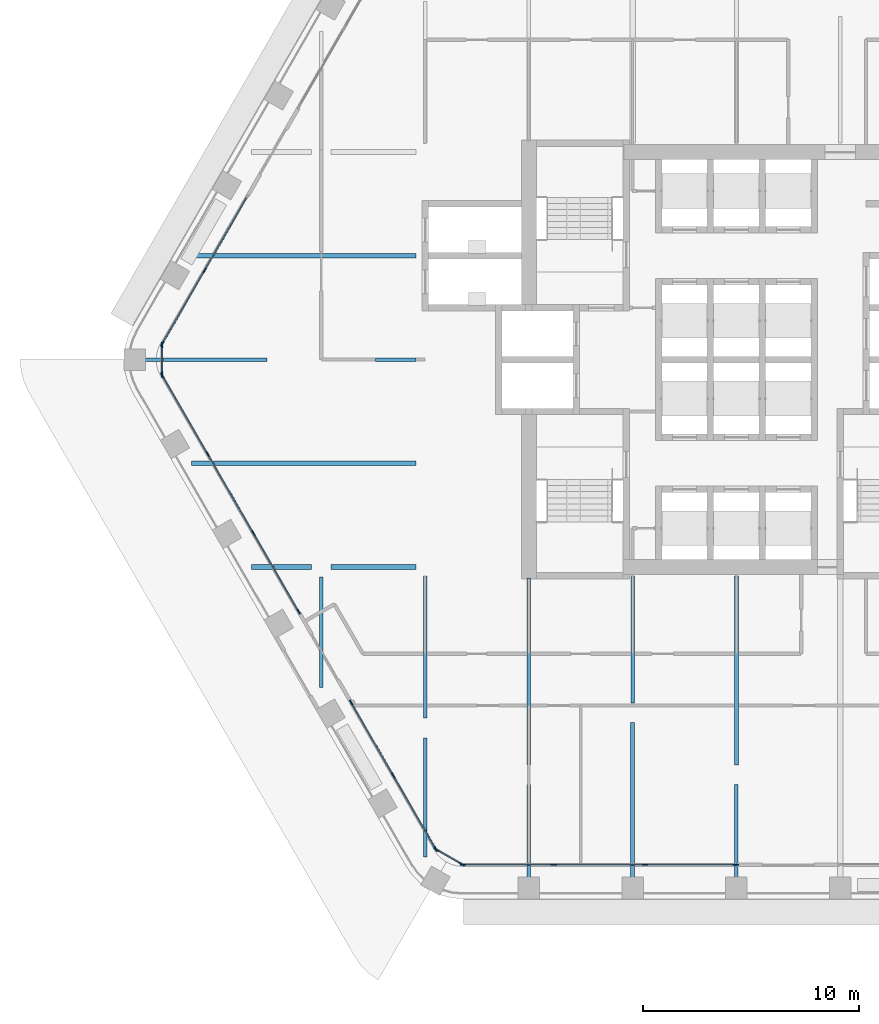
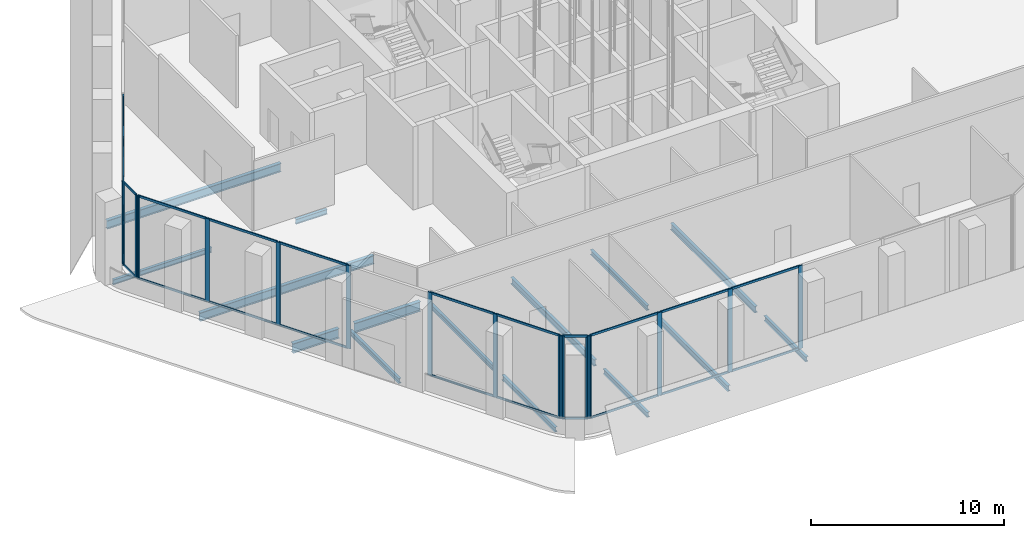
# One storey, part 2 of 42: 41 members, 15 beams, 6 elements without a shape of their own.
"""IFC4 building model written with IfcOpenShell, lengths in metres."""

import ifcopenshell
import ifcopenshell.guid

model = None  # the IFC model being written
_history = None  # IfcOwnerHistory: only IFC2X3 demands one
_inside = {}  # id of a spatial element -> (the spatial element, [elements in it])
_under = {}  # id of a project, library or spatial element -> (it, [spatial elements below it])
_declared = {}  # id of a project -> (the project, [libraries it declares])
_typed = {}  # id of a type object -> (the type object, [elements of that type])
_made_of = {}  # id of a material, layer set ... -> (it, [elements and type objects made of it])


def new_model(schema):
    """Start an empty IFC model of exactly this schema.

    Asked for "IFC4X3", IfcOpenShell would pick the latest addendum, in which some entities
    have other attributes; the version numbers below select the first issue.
    IFC2X3 requires an IfcOwnerHistory on every rooted entity: one is made here for all.
    """
    global model, _history
    if schema == "IFC4X3":
        model = ifcopenshell.file(schema_version=(4, 3, 0, 0))
    else:
        model = ifcopenshell.file(schema=schema)
    _inside.clear()
    _under.clear()
    _declared.clear()
    _typed.clear()
    _made_of.clear()
    _history = None
    if model.schema == "IFC2X3":
        org = make("IfcOrganization", Name="unknown")
        user = make(
            "IfcPersonAndOrganization",
            ThePerson=make("IfcPerson", FamilyName="unknown"),
            TheOrganization=org,
        )
        app = make(
            "IfcApplication",
            ApplicationDeveloper=org,
            Version="unknown",
            ApplicationFullName="unknown",
            ApplicationIdentifier="unknown",
        )
        _history = make(
            "IfcOwnerHistory",
            OwningUser=user,
            OwningApplication=app,
            ChangeAction="ADDED",
            CreationDate=0,
        )
    return model


def make(cls, **values):
    """One entity of the class cls with the attributes given. An attribute that is None is left unset."""
    return model.create_entity(
        cls, **{name: value for name, value in values.items() if value is not None}
    )


def rooted(cls, **values):
    """An entity with a GlobalId (a new one), such as an element, a storey or a relation."""
    return make(cls, GlobalId=ifcopenshell.guid.new(), OwnerHistory=_history, **values)


def si_unit(unit_type, name, prefix=None):
    """IfcSIUnit, for example si_unit("LENGTHUNIT", "METRE", prefix="MILLI")."""
    return make("IfcSIUnit", UnitType=unit_type, Prefix=prefix, Name=name)


def assignment(units):
    """IfcUnitAssignment: the units of a project."""
    return None if units is None else make("IfcUnitAssignment", Units=units)


def point(xyz):
    """IfcCartesianPoint."""
    return None if xyz is None else make("IfcCartesianPoint", Coordinates=xyz)


def direction(xyz):
    """IfcDirection."""
    return None if xyz is None else make("IfcDirection", DirectionRatios=xyz)


def frame(location, z_axis=None, x_axis=None):
    """IfcAxis2Placement3D, a coordinate frame: its origin and axes. An axis left out is left unset."""
    return make(
        "IfcAxis2Placement3D",
        Location=point(location),
        Axis=direction(z_axis),
        RefDirection=direction(x_axis),
    )


def frame_2d(location, x_axis=None):
    """IfcAxis2Placement2D, a coordinate frame in the plane: its origin and x axis."""
    return make(
        "IfcAxis2Placement2D", Location=point(location), RefDirection=direction(x_axis)
    )


def origin():
    """The frame at (0, 0, 0) with its axes left unset."""
    return frame((0.0, 0.0, 0.0))


def origin_2d():
    """The frame at (0, 0) in the plane with its x axis left unset."""
    return frame_2d((0.0, 0.0))


def place(relative_to, where):
    """IfcLocalPlacement: puts the frame where relative to a parent placement (None: the world)."""
    return make(
        "IfcLocalPlacement", PlacementRelTo=relative_to, RelativePlacement=where
    )


def context(
    kind, dimensions, precision=None, world=None, true_north=None, identifier=None
):
    """IfcGeometricRepresentationContext, for example the 3D "Model" context."""
    return make(
        "IfcGeometricRepresentationContext",
        ContextIdentifier=identifier,
        ContextType=kind,
        CoordinateSpaceDimension=dimensions,
        Precision=precision,
        WorldCoordinateSystem=world,
        TrueNorth=true_north,
    )


def subcontext(parent, identifier, kind, view, scale=None):
    """IfcGeometricRepresentationSubContext, for example "Body" below "Model"."""
    return make(
        "IfcGeometricRepresentationSubContext",
        ContextIdentifier=identifier,
        ContextType=kind,
        ParentContext=parent,
        TargetScale=scale,
        TargetView=view,
    )


def project(units=None, contexts=None):
    """IfcProject with its units and contexts."""
    return rooted(
        "IfcProject",
        Name="project",
        RepresentationContexts=contexts,
        UnitsInContext=assignment(units),
    )


def spatial(cls, under=None, at=None, **own):
    """A site, building, storey or space (cls), placed at a placement, below another one or the project."""
    s = rooted(cls, ObjectPlacement=at, **own)
    if under is not None:
        _under.setdefault(under.id(), (under, []))[1].append(s)
    return s


def profile(cls, at=None, kind="AREA", **sizes):
    """A parametric profile (cls). Its sizes go by their IFC names, for example OverallWidth=200.0."""
    return make(cls, ProfileType=kind, Position=at, **sizes)


def rectangle(**sizes):
    """IfcRectangleProfileDef."""
    return profile("IfcRectangleProfileDef", **sizes)


def i_section(**sizes):
    """IfcIShapeProfileDef."""
    return profile("IfcIShapeProfileDef", **sizes)


def extrude(swept, where, along, depth):
    """IfcExtrudedAreaSolid: the profile swept, set in the frame where, extruded along a direction by depth."""
    return make(
        "IfcExtrudedAreaSolid",
        SweptArea=swept,
        Position=where,
        ExtrudedDirection=direction(along),
        Depth=depth,
    )


def shape(context_of_items, identifier, shape_type, items):
    """IfcShapeRepresentation: the items that make up one representation, for example the "Body"."""
    return make(
        "IfcShapeRepresentation",
        ContextOfItems=context_of_items,
        RepresentationIdentifier=identifier,
        RepresentationType=shape_type,
        Items=items,
    )


def material(Name=None, Category=None):
    """IfcMaterial."""
    return make("IfcMaterial", Name=Name, Category=Category)


def material_profile(
    of_material, cross_section, Name=None, Category=None, Priority=None
):
    """IfcMaterialProfile: a cross section and its material."""
    return make(
        "IfcMaterialProfile",
        Name=Name,
        Material=of_material,
        Profile=cross_section,
        Priority=Priority,
        Category=Category,
    )


def profile_set(profiles, Name=None, composite=None):
    """IfcMaterialProfileSet."""
    return make(
        "IfcMaterialProfileSet",
        Name=Name,
        MaterialProfiles=profiles,
        CompositeProfile=composite,
    )


def made_of(thing, what):
    """Note that an element or type object is made of a material, layer set ...; save() writes the relation."""
    if what is not None:
        _made_of.setdefault(what.id(), (what, []))[1].append(thing)
    return thing


def type_object(cls, material=None, **own):
    """A type object (cls), such as IfcWallType, which elements share."""
    return made_of(rooted(cls, **own), material)


def element(
    cls,
    number,
    at=None,
    inside=None,
    cuts=None,
    type_object=None,
    material=None,
    context=None,
    identifier="Body",
    shape_type=None,
    held_by="IfcProductDefinitionShape",
    body=None,
    shapes=None,
    **own,
):
    """One element of the class cls, such as IfcWall. Its Tag is "e" and its number.

    at: its placement. inside: the storey or other place that contains it. cuts: it is an
    opening in that element (IfcRelVoidsElement). A single representation is given by context,
    identifier, shape_type and body (its items); several are given by shapes. held_by: the class
    of the entity that holds the representations. save() writes the other relations.
    """
    e = rooted(cls, Tag="e%d" % number, ObjectPlacement=at, **own)
    if body is not None:
        shapes = [shape(context, identifier, shape_type, body)]
    if shapes is not None:
        e.Representation = make(held_by, Representations=shapes)
    if inside is not None:
        _inside.setdefault(inside.id(), (inside, []))[1].append(e)
    if cuts is not None:
        rooted(
            "IfcRelVoidsElement", RelatingBuildingElement=cuts, RelatedOpeningElement=e
        )
    if type_object is not None:
        _typed.setdefault(type_object.id(), (type_object, []))[1].append(e)
    return made_of(e, material)


def aggregate(whole, parts):
    """IfcRelAggregates: a whole, such as a stair, and the parts it consists of."""
    return rooted("IfcRelAggregates", RelatingObject=whole, RelatedObjects=parts)


def save(model, path):
    """Write the relations noted so far, then the file.

    IfcRelAggregates (storeys below a building ...), IfcRelContainedInSpatialStructure (elements
    in a storey), IfcRelDefinesByType, IfcRelAssociatesMaterial and IfcRelDeclares: one each for
    every whole, place, type object, material and project.
    """
    for whole, parts in _under.values():
        aggregate(whole, parts)
    for where, things in _inside.values():
        rooted(
            "IfcRelContainedInSpatialStructure",
            RelatedElements=things,
            RelatingStructure=where,
        )
    for kind, things in _typed.values():
        rooted("IfcRelDefinesByType", RelatedObjects=things, RelatingType=kind)
    for what, things in _made_of.values():
        rooted("IfcRelAssociatesMaterial", RelatedObjects=things, RelatingMaterial=what)
    for by, libraries in _declared.values():
        rooted("IfcRelDeclares", RelatingContext=by, RelatedDefinitions=libraries)
    model.write(path)


model = new_model("IFC4")

# Units and contexts
model_context = context("Model", 3, precision=1e-05, world=origin(), true_north=direction((0.0, 1.0)))
body_context = subcontext(model_context, "Body", "Model", "MODEL_VIEW")
ifc_project = project(units=[si_unit("LENGTHUNIT", "METRE"), si_unit("AREAUNIT", "SQUARE_METRE"), si_unit("VOLUMEUNIT", "CUBIC_METRE"), si_unit("PLANEANGLEUNIT", "RADIAN"), si_unit("MASSUNIT", "GRAM", prefix="KILO")], contexts=[model_context])

# Site, building, storey
site_placement = place(None, origin())
site = spatial("IfcSite", under=ifc_project, at=site_placement, CompositionType="ELEMENT")
building_placement = place(site_placement, origin())
building = spatial("IfcBuilding", under=site, at=building_placement, Name="Kolab Exchange Tower", CompositionType="ELEMENT")
storey_placement = place(building_placement, frame((0.0, 0.0, 133.39990234375)))
storey = spatial("IfcBuildingStorey", under=building, at=storey_placement, Name="L26", CompositionType="ELEMENT", Elevation=133.39990234375)

# Beams
ifc_material_1 = material(Name="Steel S355", Category="steel")
ifc_material_profile_1 = material_profile(ifc_material_1, i_section(OverallWidth=0.1650390625, OverallDepth=0.31005859375, WebThickness=0.005859375, FlangeThickness=0.009765625, at=origin_2d()), Name="W310X39")
ifc_profile_set_1 = profile_set([ifc_material_profile_1], Name="Steel S355")
beam_type_1 = type_object("IfcBeamType", Name="FLOOR BEAM W310X39", PredefinedType="BEAM", material=ifc_profile_set_1)
beam_1_placement = place(storey_placement, frame((-27.598876953125, 0.0, -0.304931640625), z_axis=(1.0, 0.0, 0.0), x_axis=(0.0, 1.0, 0.0)))
element("IfcBeam", 1, at=beam_1_placement, inside=storey, type_object=beam_type_1, Name="beam/L26/fr/000", PredefinedType="BEAM", context=body_context, shape_type="SweptSolid", body=[
    extrude(i_section(OverallWidth=0.1650390625, OverallDepth=0.31005859375, WebThickness=0.005859375, FlangeThickness=0.009765625, at=origin_2d()), origin(), (0.0, 0.0, 1.0), 5.888916015625),
])
beam_2_placement = place(storey_placement, frame((-19.199951171875, -15.167724609375, -0.304931640625), z_axis=(0.0, 1.0, 0.0), x_axis=(-1.0, 0.0, 0.0)))
element("IfcBeam", 2, at=beam_2_placement, inside=storey, type_object=beam_type_1, Name="beam/L26/fr/003", PredefinedType="BEAM", context=body_context, shape_type="SweptSolid", body=[
    extrude(i_section(OverallWidth=0.1650390625, OverallDepth=0.31005859375, WebThickness=0.005859375, FlangeThickness=0.009765625, at=origin_2d()), origin(), (0.0, 0.0, 1.0), 5.107666015625),
])
beam_3_placement = place(storey_placement, frame((-16.68994140625, 0.0, -0.304931640625), z_axis=(1.0, 0.0, 0.0), x_axis=(0.0, 1.0, 0.0)))
element("IfcBeam", 3, at=beam_3_placement, inside=storey, type_object=beam_type_1, Name="beam/L26/fr/005", PredefinedType="BEAM", context=body_context, shape_type="SweptSolid", body=[
    extrude(i_section(OverallWidth=0.1650390625, OverallDepth=0.31005859375, WebThickness=0.005859375, FlangeThickness=0.009765625, at=origin_2d()), origin(), (0.0, 0.0, 1.0), 1.8798828125),
])
beam_4_placement = place(storey_placement, frame((-14.39990234375, -23.00146484375, -0.304931640625), z_axis=(0.0, 1.0, 0.0), x_axis=(-1.0, 0.0, 0.0)))
element("IfcBeam", 4, at=beam_4_placement, inside=storey, type_object=beam_type_1, Name="beam/L26/fr/006", PredefinedType="BEAM", context=body_context, shape_type="SweptSolid", body=[
    extrude(i_section(OverallWidth=0.1650390625, OverallDepth=0.31005859375, WebThickness=0.005859375, FlangeThickness=0.009765625, at=origin_2d()), origin(), (0.0, 0.0, 1.0), 5.4892578125),
])
beam_5_placement = place(storey_placement, frame((-14.39990234375, -16.5732421875, -0.304931640625), z_axis=(0.0, 1.0, 0.0), x_axis=(-1.0, 0.0, 0.0)))
element("IfcBeam", 5, at=beam_5_placement, inside=storey, type_object=beam_type_1, Name="beam/L26/fr/007", PredefinedType="BEAM", context=body_context, shape_type="SweptSolid", body=[
    extrude(i_section(OverallWidth=0.1650390625, OverallDepth=0.31005859375, WebThickness=0.005859375, FlangeThickness=0.009765625, at=origin_2d()), origin(), (0.0, 0.0, 1.0), 6.563232421875),
])
beam_6_placement = place(storey_placement, frame((-9.60009765625, -24.230712890625, -0.304931640625), z_axis=(0.0, 1.0, 0.0), x_axis=(-1.0, 0.0, 0.0)))
element("IfcBeam", 6, at=beam_6_placement, inside=storey, type_object=beam_type_1, Name="beam/L26/fr/010", PredefinedType="BEAM", context=body_context, shape_type="SweptSolid", body=[
    extrude(i_section(OverallWidth=0.1650390625, OverallDepth=0.31005859375, WebThickness=0.005859375, FlangeThickness=0.009765625, at=origin_2d()), origin(), (0.0, 0.0, 1.0), 4.57080078125),
])
beam_7_placement = place(storey_placement, frame((-4.800048828125, -15.876708984375, -0.304931640625), z_axis=(0.0, 1.0, 0.0), x_axis=(-1.0, 0.0, 0.0)))
element("IfcBeam", 7, at=beam_7_placement, inside=storey, type_object=beam_type_1, Name="beam/L26/fr/015", PredefinedType="BEAM", context=body_context, shape_type="SweptSolid", body=[
    extrude(i_section(OverallWidth=0.1650390625, OverallDepth=0.31005859375, WebThickness=0.005859375, FlangeThickness=0.009765625, at=origin_2d()), origin(), (0.0, 0.0, 1.0), 5.86669921875),
])
beam_8_placement = place(storey_placement, frame((0.0, -23.990478515625, -0.304931640625), z_axis=(0.0, 1.0, 0.0), x_axis=(-1.0, 0.0, 0.0)))
element("IfcBeam", 8, at=beam_8_placement, inside=storey, type_object=beam_type_1, Name="beam/L26/fr/017", PredefinedType="BEAM", context=body_context, shape_type="SweptSolid", body=[
    extrude(i_section(OverallWidth=0.1650390625, OverallDepth=0.31005859375, WebThickness=0.005859375, FlangeThickness=0.009765625, at=origin_2d()), origin(), (0.0, 0.0, 1.0), 4.33056640625),
])
ifc_material_profile_2 = material_profile(ifc_material_1, i_section(OverallWidth=0.1708984375, OverallDepth=0.35498046875, WebThickness=0.007080078125, FlangeThickness=0.01171875, at=origin_2d()), Name="W360X51")
ifc_profile_set_2 = profile_set([ifc_material_profile_2], Name="Steel S355")
beam_type_2 = type_object("IfcBeamType", Name="FLOOR BEAM W360X51", PredefinedType="BEAM", material=ifc_profile_set_2)
beam_9_placement = place(storey_placement, frame((-4.800048828125, -24.2314453125, -0.327392578125), z_axis=(0.0, 1.0, 0.0), x_axis=(-1.0, 0.0, 0.0)))
element("IfcBeam", 9, at=beam_9_placement, inside=storey, type_object=beam_type_2, Name="beam/L26/fr/014", PredefinedType="BEAM", context=body_context, shape_type="SweptSolid", body=[
    extrude(i_section(OverallWidth=0.1708984375, OverallDepth=0.35498046875, WebThickness=0.007080078125, FlangeThickness=0.01171875, at=origin_2d()), origin(), (0.0, 0.0, 1.0), 7.45263671875),
])
ifc_material_profile_3 = material_profile(ifc_material_1, i_section(OverallWidth=0.177978515625, OverallDepth=0.406982421875, WebThickness=0.0078125, FlangeThickness=0.0126953125, at=origin_2d()), Name="W410X60")
ifc_profile_set_3 = profile_set([ifc_material_profile_3], Name="Steel S355")
beam_type_3 = type_object("IfcBeamType", Name="FLOOR BEAM W410X60", PredefinedType="BEAM", material=ifc_profile_set_3)
beam_10_placement = place(storey_placement, frame((-9.60009765625, -18.739990234375, -0.353515625), z_axis=(0.0, 1.0, 0.0), x_axis=(-1.0, 0.0, 0.0)))
element("IfcBeam", 10, at=beam_10_placement, inside=storey, type_object=beam_type_3, Name="beam/L26/fr/011", PredefinedType="BEAM", context=body_context, shape_type="SweptSolid", body=[
    extrude(i_section(OverallWidth=0.177978515625, OverallDepth=0.406982421875, WebThickness=0.0078125, FlangeThickness=0.0126953125, at=origin_2d()), origin(), (0.0, 0.0, 1.0), 8.6298828125),
])
beam_11_placement = place(storey_placement, frame((0.0, -18.739990234375, -0.353515625), z_axis=(0.0, 1.0, 0.0), x_axis=(-1.0, 0.0, 0.0)))
element("IfcBeam", 11, at=beam_11_placement, inside=storey, type_object=beam_type_3, Name="beam/L26/fr/018", PredefinedType="BEAM", context=body_context, shape_type="SweptSolid", body=[
    extrude(i_section(OverallWidth=0.177978515625, OverallDepth=0.406982421875, WebThickness=0.0078125, FlangeThickness=0.0126953125, at=origin_2d()), origin(), (0.0, 0.0, 1.0), 8.72998046875),
])
ifc_material_profile_4 = material_profile(ifc_material_1, i_section(OverallWidth=0.208984375, OverallDepth=0.532958984375, WebThickness=0.01025390625, FlangeThickness=0.015625, at=origin_2d()), Name="W530X92")
ifc_profile_set_4 = profile_set([ifc_material_profile_4], Name="Steel S355")
beam_type_4 = type_object("IfcBeamType", Name="FLOOR BEAM W530X92", PredefinedType="BEAM", material=ifc_profile_set_4)
for number, where, z_axis, x_axis, name in (
    (12, (-25.20263671875, -4.800048828125, -0.41650390625), (1.0, 0.0, 0.0), (0.0, 1.0, 0.0), "beam/L26/fr/001"),
    (13, (-25.20263671875, 4.800048828125, -0.41650390625), (1.0, 0.0, 0.0), (0.0, 1.0, 0.0), "beam/L26/fr/002"),
):
    element("IfcBeam", number, at=place(storey_placement, frame(where, z_axis=z_axis, x_axis=x_axis)), inside=storey, type_object=beam_type_4, Name=name, PredefinedType="BEAM", context=body_context, shape_type="SweptSolid", body=[
        extrude(i_section(OverallWidth=0.208984375, OverallDepth=0.532958984375, WebThickness=0.01025390625, FlangeThickness=0.015625, at=origin_2d()), origin(), (0.0, 0.0, 1.0), 10.392578125),
    ])
ifc_material_profile_5 = material_profile(ifc_material_1, i_section(OverallWidth=0.22802734375, OverallDepth=0.60791015625, WebThickness=0.01123046875, FlangeThickness=0.017333984375, at=origin_2d()), Name="W610X113")
ifc_profile_set_5 = profile_set([ifc_material_profile_5], Name="Steel S355")
beam_type_5 = type_object("IfcBeamType", Name="FLOOR GIRDER W610X113", PredefinedType="BEAM", material=ifc_profile_set_5)
beam_12_placement = place(storey_placement, frame((-22.431396484375, -9.60009765625, -0.453857421875), z_axis=(1.0, 0.0, 0.0), x_axis=(0.0, 1.0, 0.0)))
element("IfcBeam", 14, at=beam_12_placement, inside=storey, type_object=beam_type_5, Name="beam/L26/gd/000", PredefinedType="BEAM", context=body_context, shape_type="SweptSolid", body=[
    extrude(i_section(OverallWidth=0.22802734375, OverallDepth=0.60791015625, WebThickness=0.01123046875, FlangeThickness=0.017333984375, at=origin_2d()), origin(), (0.0, 0.0, 1.0), 2.771484375),
])
beam_13_placement = place(storey_placement, frame((-18.739990234375, -9.60009765625, -0.453857421875), z_axis=(1.0, 0.0, 0.0), x_axis=(0.0, 1.0, 0.0)))
element("IfcBeam", 15, at=beam_13_placement, inside=storey, type_object=beam_type_5, Name="beam/L26/gd/002", PredefinedType="BEAM", context=body_context, shape_type="SweptSolid", body=[
    extrude(i_section(OverallWidth=0.22802734375, OverallDepth=0.60791015625, WebThickness=0.01123046875, FlangeThickness=0.017333984375, at=origin_2d()), origin(), (0.0, 0.0, 1.0), 3.929931640625),
])

# Curtain wall, members
ifc_material_2 = material(Name="Aluminium EN AW-6063 T6", Category="aluminium")
curtain_wall_type = type_object("IfcCurtainWallType", Name="UNITISED UPPER MID ZONE DOUBLE HEIGHT CURTAIN WALL", PredefinedType="NOTDEFINED", material=ifc_material_2)
curtain_wall_1_placement = place(storey_placement, origin())
curtain_wall_1 = element("IfcCurtainWall", 16, at=curtain_wall_1_placement, inside=storey, type_object=curtain_wall_type, Name="cw/L26/F4-2", PredefinedType="NOTDEFINED")
ifc_material_profile_6 = material_profile(ifc_material_2, rectangle(XDim=0.06005859375, YDim=0.260009765625, at=origin_2d()), Name="RECT 60X260")
ifc_profile_set_6 = profile_set([ifc_material_profile_6], Name="Aluminium EN AW-6063 T6")
member_type_1 = type_object("IfcMemberType", Name="UNITISED UPPER MID ZONE DOUBLE HEIGHT MULLION 60 X 260", PredefinedType="MULLION", material=ifc_profile_set_6)
member_1_placement = place(storey_placement, frame((-0.030029296875, -23.361572265625, 0.0), z_axis=(0.0, 0.0, 1.0), x_axis=(0.0, -1.0, 0.0)))
member_1 = element("IfcMember", 17, at=member_1_placement, type_object=member_type_1, Name="CW8 mullion 1", PredefinedType="MULLION", context=body_context, shape_type="SweptSolid", body=[
    extrude(rectangle(XDim=0.06005859375, YDim=0.260009765625, at=origin_2d()), origin(), (0.0, 0.0, 1.0), 5.25),
])
member_2_placement = place(storey_placement, frame((-4.22265625, -23.361572265625, 0.0), z_axis=(0.0, 0.0, 1.0), x_axis=(0.0, -1.0, 0.0)))
member_2 = element("IfcMember", 18, at=member_2_placement, type_object=member_type_1, Name="CW8 mullion 2", PredefinedType="MULLION", context=body_context, shape_type="SweptSolid", body=[
    extrude(rectangle(XDim=0.06005859375, YDim=0.260009765625, at=origin_2d()), origin(), (0.0, 0.0, 1.0), 5.25),
])
member_3_placement = place(storey_placement, frame((-8.4453125, -23.361572265625, 0.0), z_axis=(0.0, 0.0, 1.0), x_axis=(0.0, -1.0, 0.0)))
member_3 = element("IfcMember", 19, at=member_3_placement, type_object=member_type_1, Name="CW8 mullion 3", PredefinedType="MULLION", context=body_context, shape_type="SweptSolid", body=[
    extrude(rectangle(XDim=0.06005859375, YDim=0.260009765625, at=origin_2d()), origin(), (0.0, 0.0, 1.0), 5.25),
])
member_4_placement = place(storey_placement, frame((-12.637939453125, -23.361572265625, 0.0), z_axis=(0.0, 0.0, 1.0), x_axis=(0.0, -1.0, 0.0)))
member_4 = element("IfcMember", 20, at=member_4_placement, type_object=member_type_1, Name="CW8 mullion 4", PredefinedType="MULLION", context=body_context, shape_type="SweptSolid", body=[
    extrude(rectangle(XDim=0.06005859375, YDim=0.260009765625, at=origin_2d()), origin(), (0.0, 0.0, 1.0), 5.25),
])

curtain_wall_2_placement = place(storey_placement, origin())
curtain_wall_2 = element("IfcCurtainWall", 21, at=curtain_wall_2_placement, inside=storey, type_object=curtain_wall_type, Name="cw/L26/F5-1", PredefinedType="NOTDEFINED")
member_5_placement = place(storey_placement, frame((-13.91259765625, -22.62548828125, 0.0), z_axis=(0.0, 0.0, 1.0), x_axis=(-0.866025385493, -0.500000031681, 0.0)))
member_5 = element("IfcMember", 22, at=member_5_placement, type_object=member_type_1, Name="CW8 mullion 1", PredefinedType="MULLION", context=body_context, shape_type="SweptSolid", body=[
    extrude(rectangle(XDim=0.06005859375, YDim=0.260009765625, at=origin_2d()), origin(), (0.0, 0.0, 1.0), 5.25),
])
member_6_placement = place(storey_placement, frame((-15.86474609375, -19.24462890625, 0.0), z_axis=(0.0, 0.0, 1.0), x_axis=(-0.866025385493, -0.500000031681, 0.0)))
member_6 = element("IfcMember", 23, at=member_6_placement, type_object=member_type_1, Name="CW8 mullion 2", PredefinedType="MULLION", context=body_context, shape_type="SweptSolid", body=[
    extrude(rectangle(XDim=0.06005859375, YDim=0.260009765625, at=origin_2d()), origin(), (0.0, 0.0, 1.0), 5.25),
])
member_7_placement = place(storey_placement, frame((-17.816650390625, -15.86376953125, 0.0), z_axis=(0.0, 0.0, 1.0), x_axis=(-0.866025385493, -0.500000031681, 0.0)))
member_7 = element("IfcMember", 24, at=member_7_placement, type_object=member_type_1, Name="CW8 mullion 3", PredefinedType="MULLION", context=body_context, shape_type="SweptSolid", body=[
    extrude(rectangle(XDim=0.06005859375, YDim=0.260009765625, at=origin_2d()), origin(), (0.0, 0.0, 1.0), 5.25),
])

curtain_wall_3_placement = place(storey_placement, origin())
curtain_wall_3 = element("IfcCurtainWall", 25, at=curtain_wall_3_placement, inside=storey, type_object=curtain_wall_type, Name="cw/L26/F5-2", PredefinedType="NOTDEFINED")
member_8_placement = place(storey_placement, frame((-20.24658203125, -11.65478515625, 0.0), z_axis=(0.0, 0.0, 1.0), x_axis=(-0.866025427826, -0.499999958358, 0.0)))
member_8 = element("IfcMember", 26, at=member_8_placement, type_object=member_type_1, Name="CW8 mullion 1", PredefinedType="MULLION", context=body_context, shape_type="SweptSolid", body=[
    extrude(rectangle(XDim=0.06005859375, YDim=0.260009765625, at=origin_2d()), origin(), (0.0, 0.0, 1.0), 5.25),
])
member_9_placement = place(storey_placement, frame((-22.343017578125, -8.02392578125, 0.0), z_axis=(0.0, 0.0, 1.0), x_axis=(-0.866025427826, -0.499999958358, 0.0)))
member_9 = element("IfcMember", 27, at=member_9_placement, type_object=member_type_1, Name="CW8 mullion 2", PredefinedType="MULLION", context=body_context, shape_type="SweptSolid", body=[
    extrude(rectangle(XDim=0.06005859375, YDim=0.260009765625, at=origin_2d()), origin(), (0.0, 0.0, 1.0), 5.25),
])
member_10_placement = place(storey_placement, frame((-24.454345703125, -4.366943359375, 0.0), z_axis=(0.0, 0.0, 1.0), x_axis=(-0.866025427826, -0.499999958358, 0.0)))
member_10 = element("IfcMember", 28, at=member_10_placement, type_object=member_type_1, Name="CW8 mullion 3", PredefinedType="MULLION", context=body_context, shape_type="SweptSolid", body=[
    extrude(rectangle(XDim=0.06005859375, YDim=0.260009765625, at=origin_2d()), origin(), (0.0, 0.0, 1.0), 5.25),
])
member_11_placement = place(storey_placement, frame((-26.550537109375, -0.736083984375, 0.0), z_axis=(0.0, 0.0, 1.0), x_axis=(-0.866025427826, -0.499999958358, 0.0)))
member_11 = element("IfcMember", 29, at=member_11_placement, type_object=member_type_1, Name="CW8 mullion 4", PredefinedType="MULLION", context=body_context, shape_type="SweptSolid", body=[
    extrude(rectangle(XDim=0.06005859375, YDim=0.260009765625, at=origin_2d()), origin(), (0.0, 0.0, 1.0), 5.25),
])

curtain_wall_4_placement = place(storey_placement, origin())
curtain_wall_4 = element("IfcCurtainWall", 30, at=curtain_wall_4_placement, inside=storey, type_object=curtain_wall_type, Name="cw/L26/F6-1", PredefinedType="NOTDEFINED")
member_12_placement = place(storey_placement, frame((-26.550537109375, 0.736083984375, 0.0), z_axis=(0.0, 0.0, 1.0), x_axis=(-0.866025440524, 0.499999936366, 0.0)))
member_12 = element("IfcMember", 31, at=member_12_placement, type_object=member_type_1, Name="CW8 mullion 1", PredefinedType="MULLION", context=body_context, shape_type="SweptSolid", body=[
    extrude(rectangle(XDim=0.06005859375, YDim=0.260009765625, at=origin_2d()), origin(), (0.0, 0.0, 1.0), 5.25),
])
member_13_placement = place(storey_placement, frame((-24.5986328125, 4.116943359375, 0.0), z_axis=(0.0, 0.0, 1.0), x_axis=(-0.866025440524, 0.499999936366, 0.0)))
member_13 = element("IfcMember", 32, at=member_13_placement, type_object=member_type_1, Name="CW8 mullion 2", PredefinedType="MULLION", context=body_context, shape_type="SweptSolid", body=[
    extrude(rectangle(XDim=0.06005859375, YDim=0.260009765625, at=origin_2d()), origin(), (0.0, 0.0, 1.0), 5.25),
])

curtain_wall_5_placement = place(storey_placement, origin())
curtain_wall_5 = element("IfcCurtainWall", 33, at=curtain_wall_5_placement, inside=storey, type_object=curtain_wall_type, Name="cw/L26/F4F5-corner", PredefinedType="NOTDEFINED")
member_14_placement = place(storey_placement, frame((-12.69384765625, -23.346435546875, 0.0), z_axis=(0.0, 0.0, 1.0), x_axis=(-0.50000002237, -0.866025390869, 0.0)))
member_14 = element("IfcMember", 34, at=member_14_placement, type_object=member_type_1, Name="CW8 mullion 1", PredefinedType="MULLION", context=body_context, shape_type="SweptSolid", body=[
    extrude(rectangle(XDim=0.06005859375, YDim=0.260009765625, at=origin_2d()), origin(), (0.0, 0.0, 1.0), 5.25),
])
member_15_placement = place(storey_placement, frame((-13.871826171875, -22.66650390625, 0.0), z_axis=(0.0, 0.0, 1.0), x_axis=(-0.50000002237, -0.866025390869, 0.0)))
member_15 = element("IfcMember", 35, at=member_15_placement, type_object=member_type_1, Name="CW8 mullion 2", PredefinedType="MULLION", context=body_context, shape_type="SweptSolid", body=[
    extrude(rectangle(XDim=0.06005859375, YDim=0.260009765625, at=origin_2d()), origin(), (0.0, 0.0, 1.0), 5.25),
])

curtain_wall_6_placement = place(storey_placement, origin())
curtain_wall_6 = element("IfcCurtainWall", 36, at=curtain_wall_6_placement, inside=storey, type_object=curtain_wall_type, Name="cw/L26/F5F6-corner", PredefinedType="NOTDEFINED")
member_16_placement = place(storey_placement, frame((-26.565673828125, -0.679931640625, 0.0), z_axis=(0.0, 0.0, 1.0), x_axis=(-1.0, 0.0, 0.0)))
member_16 = element("IfcMember", 37, at=member_16_placement, type_object=member_type_1, Name="CW8 mullion 1", PredefinedType="MULLION", context=body_context, shape_type="SweptSolid", body=[
    extrude(rectangle(XDim=0.06005859375, YDim=0.260009765625, at=origin_2d()), origin(), (0.0, 0.0, 1.0), 5.25),
])
member_17_placement = place(storey_placement, frame((-26.565673828125, 0.679931640625, 0.0), z_axis=(0.0, 0.0, 1.0), x_axis=(-1.0, 0.0, 0.0)))
member_17 = element("IfcMember", 38, at=member_17_placement, type_object=member_type_1, Name="CW8 mullion 2", PredefinedType="MULLION", context=body_context, shape_type="SweptSolid", body=[
    extrude(rectangle(XDim=0.06005859375, YDim=0.260009765625, at=origin_2d()), origin(), (0.0, 0.0, 1.0), 5.25),
])

# Member
ifc_material_profile_7 = material_profile(ifc_material_2, rectangle(XDim=0.06005859375, YDim=0.139892578125, at=origin_2d()), Name="RECT 60X140")
ifc_profile_set_7 = profile_set([ifc_material_profile_7], Name="Aluminium EN AW-6063 T6")
member_type_2 = type_object("IfcMemberType", Name="UNITISED UPPER MID ZONE DOUBLE HEIGHT TRANSOM 60 X 140", PredefinedType="USERDEFINED", material=ifc_profile_set_7)
member_18_placement = place(storey_placement, frame((-0.06005859375, -23.361572265625, 0.030029296875), z_axis=(-1.0, 0.0, 0.0), x_axis=(0.0, -1.0, 0.0)))
member_18 = element("IfcMember", 39, at=member_18_placement, type_object=member_type_2, Name="CW8 transom 1.1", ObjectType="TRANSOM", PredefinedType="USERDEFINED", context=body_context, shape_type="SweptSolid", body=[
    extrude(rectangle(XDim=0.06005859375, YDim=0.139892578125, at=origin_2d()), origin(), (0.0, 0.0, 1.0), 4.132568359375),
])

member_19_placement = place(storey_placement, frame((-0.06005859375, -23.361572265625, 5.22021484375), z_axis=(-1.0, 0.0, 0.0), x_axis=(0.0, -1.0, 0.0)))
member_19 = element("IfcMember", 40, at=member_19_placement, type_object=member_type_2, Name="CW8 transom 1.2", ObjectType="TRANSOM", PredefinedType="USERDEFINED", context=body_context, shape_type="SweptSolid", body=[
    extrude(rectangle(XDim=0.06005859375, YDim=0.139892578125, at=origin_2d()), origin(), (0.0, 0.0, 1.0), 4.132568359375),
])

member_20_placement = place(storey_placement, frame((-4.252685546875, -23.361572265625, 0.030029296875), z_axis=(-1.0, 0.0, 0.0), x_axis=(0.0, -1.0, 0.0)))
member_20 = element("IfcMember", 41, at=member_20_placement, type_object=member_type_2, Name="CW8 transom 2.1", ObjectType="TRANSOM", PredefinedType="USERDEFINED", context=body_context, shape_type="SweptSolid", body=[
    extrude(rectangle(XDim=0.06005859375, YDim=0.139892578125, at=origin_2d()), origin(), (0.0, 0.0, 1.0), 4.16259765625),
])

member_21_placement = place(storey_placement, frame((-4.252685546875, -23.361572265625, 5.22021484375), z_axis=(-1.0, 0.0, 0.0), x_axis=(0.0, -1.0, 0.0)))
member_21 = element("IfcMember", 42, at=member_21_placement, type_object=member_type_2, Name="CW8 transom 2.2", ObjectType="TRANSOM", PredefinedType="USERDEFINED", context=body_context, shape_type="SweptSolid", body=[
    extrude(rectangle(XDim=0.06005859375, YDim=0.139892578125, at=origin_2d()), origin(), (0.0, 0.0, 1.0), 4.16259765625),
])

member_22_placement = place(storey_placement, frame((-8.475341796875, -23.361572265625, 0.030029296875), z_axis=(-1.0, 0.0, 0.0), x_axis=(0.0, -1.0, 0.0)))
member_22 = element("IfcMember", 43, at=member_22_placement, type_object=member_type_2, Name="CW8 transom 3.1", ObjectType="TRANSOM", PredefinedType="USERDEFINED", context=body_context, shape_type="SweptSolid", body=[
    extrude(rectangle(XDim=0.06005859375, YDim=0.139892578125, at=origin_2d()), origin(), (0.0, 0.0, 1.0), 4.132568359375),
])

member_23_placement = place(storey_placement, frame((-8.475341796875, -23.361572265625, 5.22021484375), z_axis=(-1.0, 0.0, 0.0), x_axis=(0.0, -1.0, 0.0)))
member_23 = element("IfcMember", 44, at=member_23_placement, type_object=member_type_2, Name="CW8 transom 3.2", ObjectType="TRANSOM", PredefinedType="USERDEFINED", context=body_context, shape_type="SweptSolid", body=[
    extrude(rectangle(XDim=0.06005859375, YDim=0.139892578125, at=origin_2d()), origin(), (0.0, 0.0, 1.0), 4.132568359375),
])

aggregate(curtain_wall_1, [member_1, member_2, member_3, member_4, member_18, member_19, member_20, member_21, member_22, member_23])

member_24_placement = place(storey_placement, frame((-13.927734375, -22.599609375, 0.030029296875), z_axis=(-0.499964356602, 0.866045981532, 0.0), x_axis=(-0.866045981532, -0.499964356602, 0.0)))
member_24 = element("IfcMember", 45, at=member_24_placement, type_object=member_type_2, Name="CW8 transom 1.1", ObjectType="TRANSOM", PredefinedType="USERDEFINED", context=body_context, shape_type="SweptSolid", body=[
    extrude(rectangle(XDim=0.06005859375, YDim=0.139892578125, at=origin_2d()), origin(), (0.0, 0.0, 1.0), 3.843994140625),
])

member_25_placement = place(storey_placement, frame((-13.927734375, -22.599609375, 5.22021484375), z_axis=(-0.499964356602, 0.866045981532, 0.0), x_axis=(-0.866045981532, -0.499964356602, 0.0)))
member_25 = element("IfcMember", 46, at=member_25_placement, type_object=member_type_2, Name="CW8 transom 1.2", ObjectType="TRANSOM", PredefinedType="USERDEFINED", context=body_context, shape_type="SweptSolid", body=[
    extrude(rectangle(XDim=0.06005859375, YDim=0.139892578125, at=origin_2d()), origin(), (0.0, 0.0, 1.0), 3.843994140625),
])

member_26_placement = place(storey_placement, frame((-15.879638671875, -19.21875, 0.030029296875), z_axis=(-0.500011990396, 0.866018481016, 0.0), x_axis=(-0.866018481016, -0.500011990396, 0.0)))
member_26 = element("IfcMember", 47, at=member_26_placement, type_object=member_type_2, Name="CW8 transom 2.1", ObjectType="TRANSOM", PredefinedType="USERDEFINED", context=body_context, shape_type="SweptSolid", body=[
    extrude(rectangle(XDim=0.06005859375, YDim=0.139892578125, at=origin_2d()), origin(), (0.0, 0.0, 1.0), 3.84423828125),
])

member_27_placement = place(storey_placement, frame((-15.879638671875, -19.21875, 5.22021484375), z_axis=(-0.500011990396, 0.866018481016, 0.0), x_axis=(-0.866018481016, -0.500011990396, 0.0)))
member_27 = element("IfcMember", 48, at=member_27_placement, type_object=member_type_2, Name="CW8 transom 2.2", ObjectType="TRANSOM", PredefinedType="USERDEFINED", context=body_context, shape_type="SweptSolid", body=[
    extrude(rectangle(XDim=0.06005859375, YDim=0.139892578125, at=origin_2d()), origin(), (0.0, 0.0, 1.0), 3.84423828125),
])

aggregate(curtain_wall_2, [member_5, member_6, member_7, member_24, member_25, member_26, member_27])

member_28_placement = place(storey_placement, frame((-20.26171875, -11.62890625, 0.030029296875), z_axis=(-0.500001996123, 0.866024251319, 0.0), x_axis=(-0.866024251319, -0.500001996123, 0.0)))
member_28 = element("IfcMember", 49, at=member_28_placement, type_object=member_type_2, Name="CW8 transom 1.1", ObjectType="TRANSOM", PredefinedType="USERDEFINED", context=body_context, shape_type="SweptSolid", body=[
    extrude(rectangle(XDim=0.06005859375, YDim=0.139892578125, at=origin_2d()), origin(), (0.0, 0.0, 1.0), 4.1328125),
])

member_29_placement = place(storey_placement, frame((-20.26171875, -11.62890625, 5.22021484375), z_axis=(-0.500001996123, 0.866024251319, 0.0), x_axis=(-0.866024251319, -0.500001996123, 0.0)))
member_29 = element("IfcMember", 50, at=member_29_placement, type_object=member_type_2, Name="CW8 transom 1.2", ObjectType="TRANSOM", PredefinedType="USERDEFINED", context=body_context, shape_type="SweptSolid", body=[
    extrude(rectangle(XDim=0.06005859375, YDim=0.139892578125, at=origin_2d()), origin(), (0.0, 0.0, 1.0), 4.1328125),
])

member_30_placement = place(storey_placement, frame((-22.35791015625, -7.997802734375, 0.030029296875), z_axis=(-0.49999322259, 0.866029316688, 0.0), x_axis=(-0.866029316688, -0.49999322259, 0.0)))
member_30 = element("IfcMember", 51, at=member_30_placement, type_object=member_type_2, Name="CW8 transom 2.1", ObjectType="TRANSOM", PredefinedType="USERDEFINED", context=body_context, shape_type="SweptSolid", body=[
    extrude(rectangle(XDim=0.06005859375, YDim=0.139892578125, at=origin_2d()), origin(), (0.0, 0.0, 1.0), 4.16259765625),
])

member_31_placement = place(storey_placement, frame((-22.35791015625, -7.997802734375, 5.22021484375), z_axis=(-0.49999322259, 0.866029316688, 0.0), x_axis=(-0.866029316688, -0.49999322259, 0.0)))
member_31 = element("IfcMember", 52, at=member_31_placement, type_object=member_type_2, Name="CW8 transom 2.2", ObjectType="TRANSOM", PredefinedType="USERDEFINED", context=body_context, shape_type="SweptSolid", body=[
    extrude(rectangle(XDim=0.06005859375, YDim=0.139892578125, at=origin_2d()), origin(), (0.0, 0.0, 1.0), 4.16259765625),
])

member_32_placement = place(storey_placement, frame((-24.46923828125, -4.3408203125, 0.030029296875), z_axis=(-0.500027577057, 0.866009481578, 0.0), x_axis=(-0.866009481578, -0.500027577057, 0.0)))
member_32 = element("IfcMember", 53, at=member_32_placement, type_object=member_type_2, Name="CW8 transom 3.1", ObjectType="TRANSOM", PredefinedType="USERDEFINED", context=body_context, shape_type="SweptSolid", body=[
    extrude(rectangle(XDim=0.06005859375, YDim=0.139892578125, at=origin_2d()), origin(), (0.0, 0.0, 1.0), 4.132568359375),
])

member_33_placement = place(storey_placement, frame((-24.46923828125, -4.3408203125, 5.22021484375), z_axis=(-0.500027577057, 0.866009481578, 0.0), x_axis=(-0.866009481578, -0.500027577057, 0.0)))
member_33 = element("IfcMember", 54, at=member_33_placement, type_object=member_type_2, Name="CW8 transom 3.2", ObjectType="TRANSOM", PredefinedType="USERDEFINED", context=body_context, shape_type="SweptSolid", body=[
    extrude(rectangle(XDim=0.06005859375, YDim=0.139892578125, at=origin_2d()), origin(), (0.0, 0.0, 1.0), 4.132568359375),
])

aggregate(curtain_wall_3, [member_8, member_9, member_10, member_11, member_28, member_29, member_30, member_31, member_32, member_33])

member_34_placement = place(storey_placement, frame((-26.53564453125, 0.761962890625, 0.030029296875), z_axis=(0.499991857942, 0.866030104553, 0.0), x_axis=(-0.866030104553, 0.499991857942, 0.0)))
member_34 = element("IfcMember", 55, at=member_34_placement, type_object=member_type_2, Name="CW8 transom 1.1", ObjectType="TRANSOM", PredefinedType="USERDEFINED", context=body_context, shape_type="SweptSolid", body=[
    extrude(rectangle(XDim=0.06005859375, YDim=0.139892578125, at=origin_2d()), origin(), (0.0, 0.0, 1.0), 3.84375),
])

member_35_placement = place(storey_placement, frame((-26.53564453125, 0.761962890625, 5.22021484375), z_axis=(0.499991857942, 0.866030104553, 0.0), x_axis=(-0.866030104553, 0.499991857942, 0.0)))
member_35 = element("IfcMember", 56, at=member_35_placement, type_object=member_type_2, Name="CW8 transom 1.2", ObjectType="TRANSOM", PredefinedType="USERDEFINED", context=body_context, shape_type="SweptSolid", body=[
    extrude(rectangle(XDim=0.06005859375, YDim=0.139892578125, at=origin_2d()), origin(), (0.0, 0.0, 1.0), 3.84375),
])

member_36_placement = place(storey_placement, frame((-24.583740234375, 4.142822265625, 0.030029296875), z_axis=(0.500011990396, 0.866018481016, 0.0), x_axis=(-0.866018481016, 0.500011990396, 0.0)))
member_36 = element("IfcMember", 57, at=member_36_placement, type_object=member_type_2, Name="CW8 transom 2.1", ObjectType="TRANSOM", PredefinedType="USERDEFINED", context=body_context, shape_type="SweptSolid", body=[
    extrude(rectangle(XDim=0.06005859375, YDim=0.139892578125, at=origin_2d()), origin(), (0.0, 0.0, 1.0), 3.84423828125),
])

member_37_placement = place(storey_placement, frame((-24.583740234375, 4.142822265625, 5.22021484375), z_axis=(0.500011990396, 0.866018481016, 0.0), x_axis=(-0.866018481016, 0.500011990396, 0.0)))
member_37 = element("IfcMember", 58, at=member_37_placement, type_object=member_type_2, Name="CW8 transom 2.2", ObjectType="TRANSOM", PredefinedType="USERDEFINED", context=body_context, shape_type="SweptSolid", body=[
    extrude(rectangle(XDim=0.06005859375, YDim=0.139892578125, at=origin_2d()), origin(), (0.0, 0.0, 1.0), 3.84423828125),
])

aggregate(curtain_wall_4, [member_12, member_13, member_34, member_35, member_36, member_37])

member_38_placement = place(storey_placement, frame((-12.719970703125, -23.33154296875, 0.030029296875), z_axis=(-0.86603858612, 0.49997716683, 0.0), x_axis=(-0.49997716683, -0.86603858612, 0.0)))
member_38 = element("IfcMember", 59, at=member_38_placement, type_object=member_type_2, Name="CW8 transom 1.1", ObjectType="TRANSOM", PredefinedType="USERDEFINED", context=body_context, shape_type="SweptSolid", body=[
    extrude(rectangle(XDim=0.06005859375, YDim=0.139892578125, at=origin_2d()), origin(), (0.0, 0.0, 1.0), 1.2998046875),
])

member_39_placement = place(storey_placement, frame((-12.719970703125, -23.33154296875, 5.22021484375), z_axis=(-0.86603858612, 0.49997716683, 0.0), x_axis=(-0.49997716683, -0.86603858612, 0.0)))
member_39 = element("IfcMember", 60, at=member_39_placement, type_object=member_type_2, Name="CW8 transom 1.2", ObjectType="TRANSOM", PredefinedType="USERDEFINED", context=body_context, shape_type="SweptSolid", body=[
    extrude(rectangle(XDim=0.06005859375, YDim=0.139892578125, at=origin_2d()), origin(), (0.0, 0.0, 1.0), 1.2998046875),
])

aggregate(curtain_wall_5, [member_14, member_15, member_38, member_39])

member_40_placement = place(storey_placement, frame((-26.565673828125, -0.64990234375, 0.030029296875), z_axis=(0.0, 1.0, 0.0), x_axis=(-1.0, 0.0, 0.0)))
member_40 = element("IfcMember", 61, at=member_40_placement, type_object=member_type_2, Name="CW8 transom 1.1", ObjectType="TRANSOM", PredefinedType="USERDEFINED", context=body_context, shape_type="SweptSolid", body=[
    extrude(rectangle(XDim=0.06005859375, YDim=0.139892578125, at=origin_2d()), origin(), (0.0, 0.0, 1.0), 1.2998046875),
])

member_41_placement = place(storey_placement, frame((-26.565673828125, -0.64990234375, 5.22021484375), z_axis=(0.0, 1.0, 0.0), x_axis=(-1.0, 0.0, 0.0)))
member_41 = element("IfcMember", 62, at=member_41_placement, type_object=member_type_2, Name="CW8 transom 1.2", ObjectType="TRANSOM", PredefinedType="USERDEFINED", context=body_context, shape_type="SweptSolid", body=[
    extrude(rectangle(XDim=0.06005859375, YDim=0.139892578125, at=origin_2d()), origin(), (0.0, 0.0, 1.0), 1.2998046875),
])

aggregate(curtain_wall_6, [member_16, member_17, member_40, member_41])

save(model, "model.ifc")
